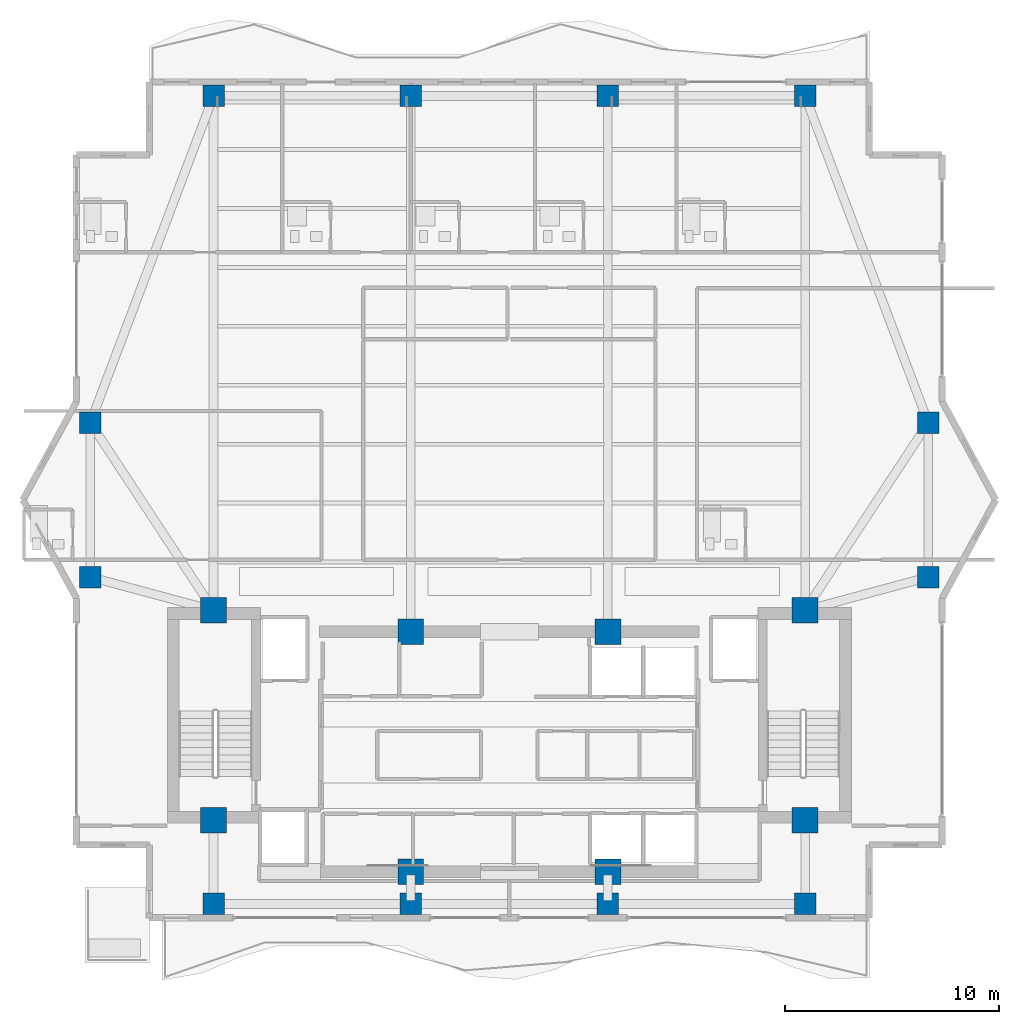
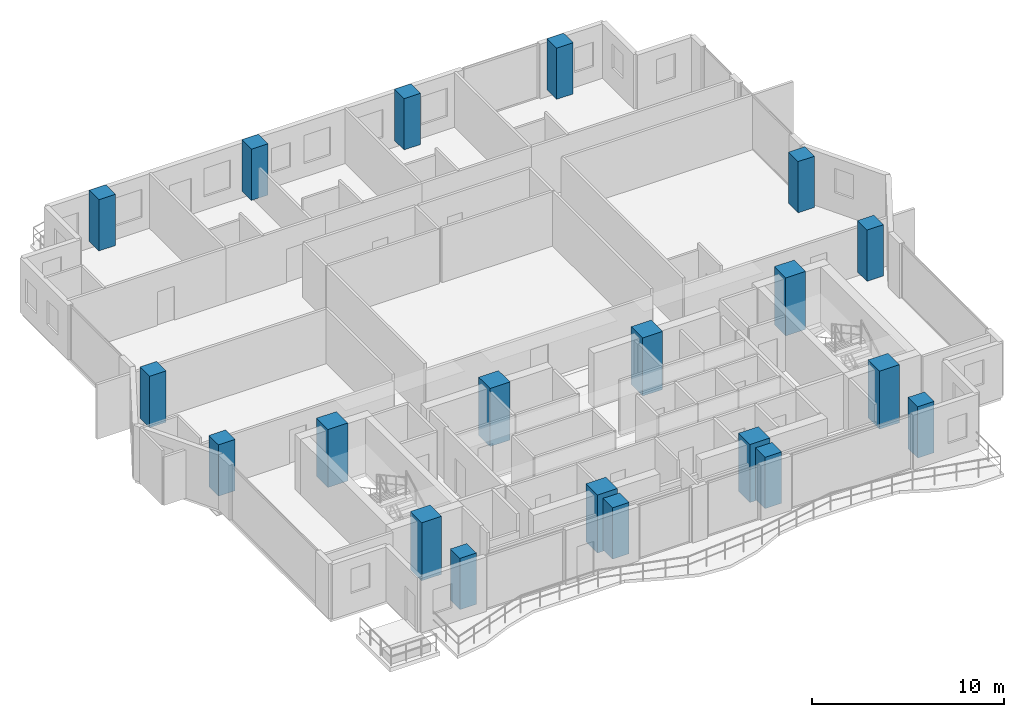
# One storey, part 1 of 28: 20 columns.
"""IFC4 building model written with IfcOpenShell, lengths in metres."""

from ifc_helpers import new_model, si_unit, direction, frame, origin, origin_2d, place, context, subcontext, project, spatial, rectangle, extrude, material, material_profile, profile_set, type_object, element, save


model = new_model("IFC4")

# Units and contexts
model_context = context("Model", 3, precision=1e-05, world=origin(), true_north=direction((0.0, 1.0)))
body_context = subcontext(model_context, "Body", "Model", "MODEL_VIEW")
ifc_project = project(units=[si_unit("LENGTHUNIT", "METRE"), si_unit("AREAUNIT", "SQUARE_METRE"), si_unit("VOLUMEUNIT", "CUBIC_METRE"), si_unit("PLANEANGLEUNIT", "RADIAN"), si_unit("MASSUNIT", "GRAM", prefix="KILO")], contexts=[model_context])

# Site, building, storey
site_placement = place(None, origin())
site = spatial("IfcSite", under=ifc_project, at=site_placement, CompositionType="ELEMENT")
building_placement = place(site_placement, origin())
building = spatial("IfcBuilding", under=site, at=building_placement, Name="Zuhayl Quay Hotel", CompositionType="ELEMENT")
storey_placement = place(building_placement, frame((0.0, 0.0, 239.64990234375)))
storey = spatial("IfcBuildingStorey", under=building, at=storey_placement, Name="L60", CompositionType="ELEMENT", Elevation=239.64990234375)

# Columns
ifc_material = material(Name="Concrete C60/75", Category="concrete")
ifc_material_profile_1 = material_profile(ifc_material, rectangle(XDim=1.199951171875, YDim=1.199951171875, at=origin_2d()), Name="RC1200X1200")
ifc_profile_set_1 = profile_set([ifc_material_profile_1], Name="Concrete C60/75")
column_type_1 = type_object("IfcColumnType", Name="CL_CC2_1200", PredefinedType="COLUMN", material=ifc_profile_set_1)
for number, where, z_axis, x_axis, name in (
    (1, (-13.800048828125, 14.35009765625, 0.0), (0.0, 0.0, 1.0), (1.0, 0.0, 0.0), "L60 Core Column CC_NW"),
    (2, (-4.60009765625, 13.35009765625, 0.0), (0.0, 0.0, 1.0), (1.0, 0.0, 0.0), "L60 Core Column CC_CNW"),
    (3, (4.60009765625, 13.35009765625, 0.0), (0.0, 0.0, 1.0), (1.0, 0.0, 0.0), "L60 Core Column CC_CNE"),
    (4, (13.800048828125, 14.35009765625, 0.0), (0.0, 0.0, 1.0), (1.0, 0.0, 0.0), "L60 Core Column CC_NE"),
    (5, (-13.800048828125, 4.550048828125, 0.0), (0.0, 0.0, 1.0), (1.0, 0.0, 0.0), "L60 Core Column CC_SW"),
    (6, (-4.60009765625, 2.14990234375, 0.0), (0.0, 0.0, 1.0), (1.0, 0.0, 0.0), "L60 Core Column CC_CSW"),
    (7, (4.60009765625, 2.14990234375, 0.0), (0.0, 0.0, 1.0), (1.0, 0.0, 0.0), "L60 Core Column CC_CSE"),
    (8, (13.800048828125, 4.550048828125, 0.0), (0.0, 0.0, 1.0), (1.0, 0.0, 0.0), "L60 Core Column CC_SE"),
):
    element("IfcColumn", number, at=place(storey_placement, frame(where, z_axis=z_axis, x_axis=x_axis)), inside=storey, type_object=column_type_1, Name=name, PredefinedType="COLUMN", context=body_context, shape_type="SweptSolid", body=[
        extrude(rectangle(XDim=1.199951171875, YDim=1.199951171875, at=origin_2d()), origin(), (0.0, 0.0, 1.0), 3.7001953125),
    ])
ifc_material_profile_2 = material_profile(ifc_material, rectangle(XDim=1.0, YDim=1.0, at=origin_2d()), Name="RC1000X1000")
ifc_profile_set_2 = profile_set([ifc_material_profile_2], Name="Concrete C60/75")
column_type_2 = type_object("IfcColumnType", Name="CL_MC4_1000", PredefinedType="COLUMN", material=ifc_profile_set_2)
for number, where, z_axis, x_axis, name in (
    (9, (-13.800048828125, 0.64990234375, 0.43017578125), (0.0, 0.0, 1.0), (1.0, 0.0, 0.0), "L60 Mega-Column MC_S1"),
    (10, (-4.60009765625, 0.64990234375, 0.43017578125), (0.0, 0.0, 1.0), (1.0, 0.0, 0.0), "L60 Mega-Column MC_S2"),
    (11, (4.60009765625, 0.64990234375, 0.43017578125), (0.0, 0.0, 1.0), (1.0, 0.0, 0.0), "L60 Mega-Column MC_S3"),
    (12, (13.800048828125, 0.64990234375, 0.43017578125), (0.0, 0.0, 1.0), (1.0, 0.0, 0.0), "L60 Mega-Column MC_S4"),
    (13, (-13.800048828125, 38.35009765625, 0.43017578125), (0.0, 0.0, 1.0), (1.0, 0.0, 0.0), "L60 Mega-Column MC_N1"),
    (14, (-4.60009765625, 38.35009765625, 0.43017578125), (0.0, 0.0, 1.0), (1.0, 0.0, 0.0), "L60 Mega-Column MC_N2"),
    (15, (4.60009765625, 38.35009765625, 0.43017578125), (0.0, 0.0, 1.0), (1.0, 0.0, 0.0), "L60 Mega-Column MC_N3"),
    (16, (13.800048828125, 38.35009765625, 0.43017578125), (0.0, 0.0, 1.0), (1.0, 0.0, 0.0), "L60 Mega-Column MC_N4"),
    (17, (-19.550048828125, 15.89990234375, 0.43017578125), (0.0, 0.0, 1.0), (1.0, 0.0, 0.0), "L60 Mega-Column MC_W1"),
    (18, (-19.550048828125, 23.10009765625, 0.43017578125), (0.0, 0.0, 1.0), (1.0, 0.0, 0.0), "L60 Mega-Column MC_W2"),
    (19, (19.550048828125, 15.89990234375, 0.43017578125), (0.0, 0.0, 1.0), (1.0, 0.0, 0.0), "L60 Mega-Column MC_E1"),
    (20, (19.550048828125, 23.10009765625, 0.43017578125), (0.0, 0.0, 1.0), (1.0, 0.0, 0.0), "L60 Mega-Column MC_E2"),
):
    element("IfcColumn", number, at=place(storey_placement, frame(where, z_axis=z_axis, x_axis=x_axis)), inside=storey, type_object=column_type_2, Name=name, PredefinedType="COLUMN", context=body_context, shape_type="SweptSolid", body=[
        extrude(rectangle(XDim=1.0, YDim=1.0, at=origin_2d()), origin(), (0.0, 0.0, 1.0), 3.27001953125),
    ])

save(model, "model.ifc")
